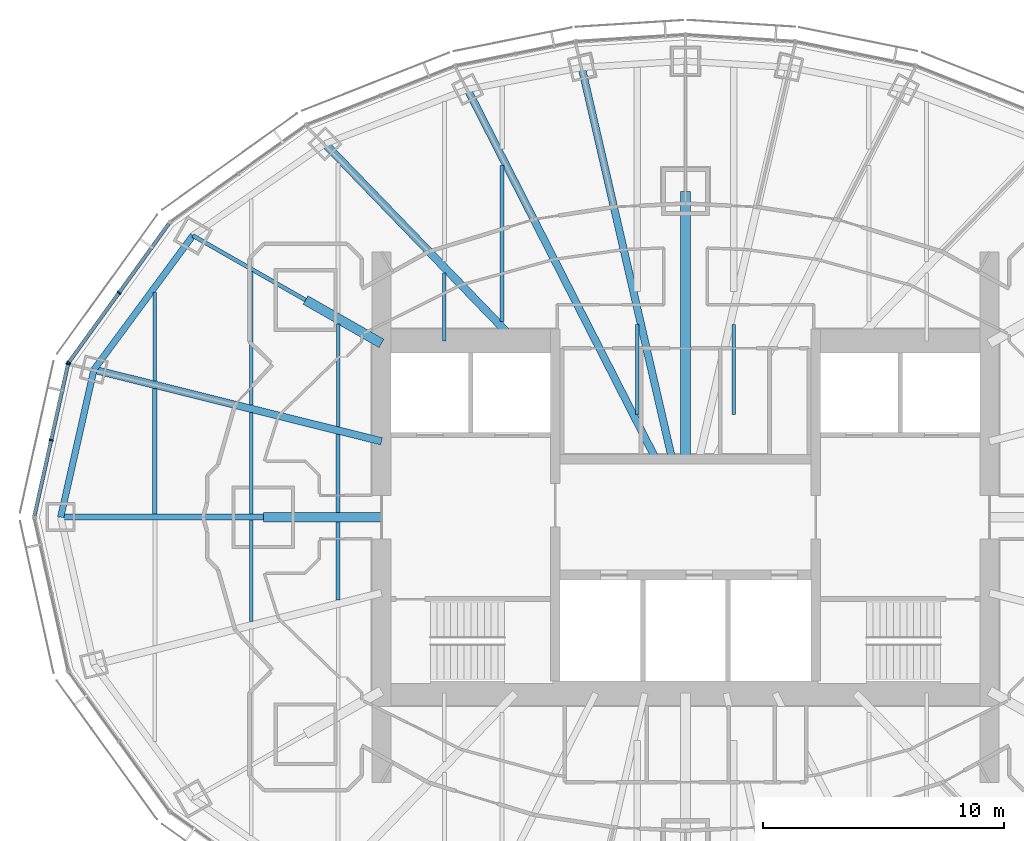
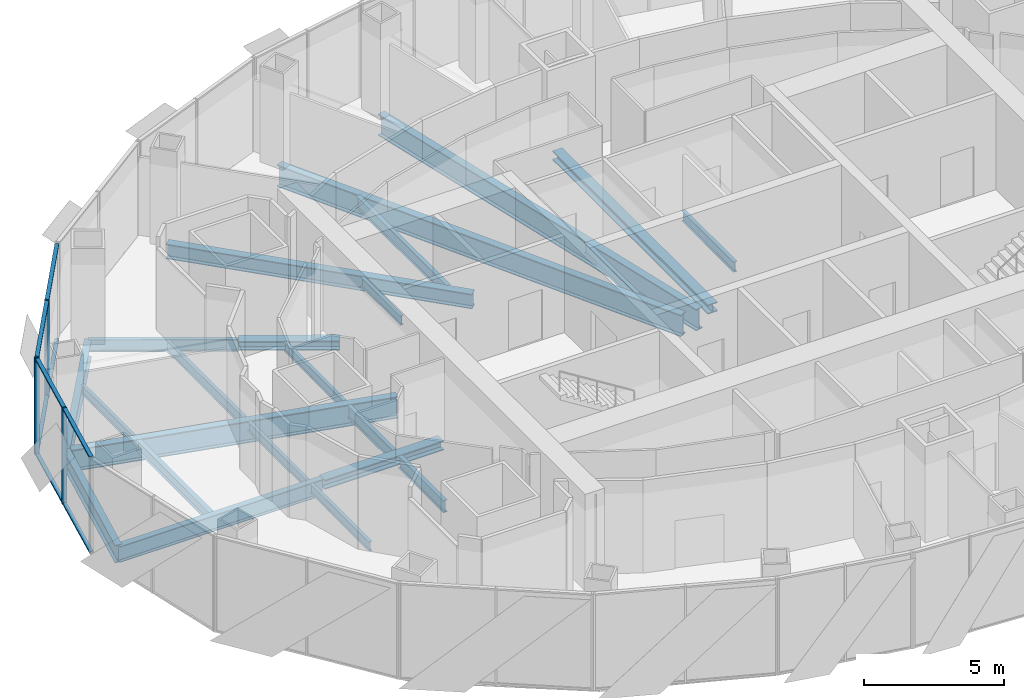
# One storey, part 4 of 19: 23 beams, 12 members, 2 elements without a shape of their own.
"""IFC4 building model written with IfcOpenShell, lengths in metres."""

from ifc_helpers import new_model, si_unit, direction, frame, origin, origin_2d, place, context, subcontext, project, spatial, rectangle, i_section, extrude, material, material_profile, profile_set, type_object, element, aggregate, save


model = new_model("IFC4")

# Units and contexts
model_context = context("Model", 3, precision=1e-05, world=origin(), true_north=direction((0.0, 1.0)))
body_context = subcontext(model_context, "Body", "Model", "MODEL_VIEW")
ifc_project = project(units=[si_unit("LENGTHUNIT", "METRE"), si_unit("AREAUNIT", "SQUARE_METRE"), si_unit("VOLUMEUNIT", "CUBIC_METRE"), si_unit("PLANEANGLEUNIT", "RADIAN"), si_unit("MASSUNIT", "GRAM", prefix="KILO")], contexts=[model_context])

# Site, building, storey
site_placement = place(None, origin())
site = spatial("IfcSite", under=ifc_project, at=site_placement, CompositionType="ELEMENT")
building_placement = place(site_placement, origin())
building = spatial("IfcBuilding", under=site, at=building_placement, Name="Lantaw Convention Tower", CompositionType="ELEMENT")
storey_placement = place(building_placement, frame((0.0, 0.0, 245.199951171875)))
storey = spatial("IfcBuildingStorey", under=building, at=storey_placement, Name="L57", CompositionType="ELEMENT", Elevation=245.199951171875)

# Beams
ifc_material_1 = material(Name="Steel ASTM A992", Category="steel")
ifc_material_profile_1 = material_profile(ifc_material_1, i_section(OverallWidth=0.2666015625, OverallDepth=0.76953125, WebThickness=0.015625, FlangeThickness=0.025390625, FilletRadius=0.0126953125, at=origin_2d()), Name="W30X132")
ifc_profile_set_1 = profile_set([ifc_material_profile_1], Name="Steel ASTM A992")
beam_type_1 = type_object("IfcBeamType", Name="Beam E W30X132", PredefinedType="SPANDREL", material=ifc_profile_set_1)
beam_1_placement = place(storey_placement, frame((-20.423095703125, 11.67041015625, -0.53466796875), z_axis=(-0.593639188853, -0.804731329984, 0.0), x_axis=(0.804731329984, -0.593639188853, 0.0)))
element("IfcBeam", 1, at=beam_1_placement, inside=storey, type_object=beam_type_1, Name="Edge beam 11", PredefinedType="SPANDREL", context=body_context, shape_type="SweptSolid", body=[
    extrude(i_section(OverallWidth=0.2666015625, OverallDepth=0.76953125, WebThickness=0.015625, FlangeThickness=0.025390625, FilletRadius=0.0126953125, at=origin_2d()), origin(), (0.0, 0.0, 1.0), 6.904541015625),
])
beam_2_placement = place(storey_placement, frame((-24.52197265625, 6.114013671875, -0.53466796875), z_axis=(-0.219857926596, -0.97553190215, 0.0), x_axis=(0.97553190215, -0.219857926596, 0.0)))
element("IfcBeam", 2, at=beam_2_placement, inside=storey, type_object=beam_type_1, Name="Edge beam 12", PredefinedType="SPANDREL", context=body_context, shape_type="SweptSolid", body=[
    extrude(i_section(OverallWidth=0.2666015625, OverallDepth=0.76953125, WebThickness=0.015625, FlangeThickness=0.025390625, FilletRadius=0.0126953125, at=origin_2d()), origin(), (0.0, 0.0, 1.0), 6.267333984375),
])
ifc_material_profile_2 = material_profile(ifc_material_1, i_section(OverallWidth=0.1650390625, OverallDepth=0.52587890625, WebThickness=0.0087890625, FlangeThickness=0.011474609375, FilletRadius=0.0126953125, at=origin_2d()), Name="W21X44")
ifc_profile_set_2 = profile_set([ifc_material_profile_2], Name="Steel ASTM A992")
beam_type_2 = type_object("IfcBeamType", Name="Beam G W21X44", PredefinedType="BEAM", material=ifc_profile_set_2)
beam_3_placement = place(storey_placement, frame((-15.75, 9.0, -0.412841796875), z_axis=(-0.868237559289, 0.496148708192, 0.0), x_axis=(-0.496148708192, -0.868237559289, 0.0)))
element("IfcBeam", 3, at=beam_3_placement, inside=storey, type_object=beam_type_2, Name="Floor girder on ray 11", PredefinedType="BEAM", context=body_context, shape_type="SweptSolid", body=[
    extrude(i_section(OverallWidth=0.1650390625, OverallDepth=0.52587890625, WebThickness=0.0087890625, FlangeThickness=0.011474609375, FilletRadius=0.0126953125, at=origin_2d()), origin(), (0.0, 0.0, 1.0), 5.38232421875),
])
ifc_material_profile_3 = material_profile(ifc_material_1, i_section(OverallWidth=0.32763671875, OverallDepth=0.64013671875, WebThickness=0.01904296875, FlangeThickness=0.033935546875, FilletRadius=0.0126953125, at=origin_2d()), Name="W24X176")
ifc_profile_set_3 = profile_set([ifc_material_profile_3], Name="Steel ASTM A992")
beam_type_3 = type_object("IfcBeamType", Name="Beam G W24X176", PredefinedType="BEAM", material=ifc_profile_set_3)
beam_4_placement = place(storey_placement, frame((-7.049560546875, 7.300048828125, -0.469970703125), z_axis=(-0.694657766726, 0.719340383356, 0.0), x_axis=(-0.719340383356, -0.694657766726, 0.0)))
element("IfcBeam", 4, at=beam_4_placement, inside=storey, type_object=beam_type_3, Name="Floor girder on ray 10", PredefinedType="BEAM", context=body_context, shape_type="SweptSolid", body=[
    extrude(i_section(OverallWidth=0.32763671875, OverallDepth=0.64013671875, WebThickness=0.01904296875, FlangeThickness=0.033935546875, FilletRadius=0.0126953125, at=origin_2d()), origin(), (0.0, 0.0, 1.0), 11.364990234375),
])
ifc_material_profile_4 = material_profile(ifc_material_1, i_section(OverallWidth=0.25390625, OverallDepth=0.700927734375, WebThickness=0.015380859375, FlangeThickness=0.02783203125, FilletRadius=0.01513671875, at=origin_2d()), Name="W27X129")
ifc_profile_set_4 = profile_set([ifc_material_profile_4], Name="Steel ASTM A992")
beam_type_4 = type_object("IfcBeamType", Name="Beam G W27X129", PredefinedType="BEAM", material=ifc_profile_set_4)
beam_5_placement = place(storey_placement, frame((-17.5, 0.0, -0.50048828125), z_axis=(-1.0, 0.0, 0.0), x_axis=(0.0, -1.0, 0.0)))
element("IfcBeam", 5, at=beam_5_placement, inside=storey, type_object=beam_type_4, Name="Floor girder on ray 13", PredefinedType="BEAM", context=body_context, shape_type="SweptSolid", body=[
    extrude(i_section(OverallWidth=0.25390625, OverallDepth=0.700927734375, WebThickness=0.015380859375, FlangeThickness=0.02783203125, FilletRadius=0.01513671875, at=origin_2d()), origin(), (0.0, 0.0, 1.0), 8.39990234375),
])
ifc_material_profile_5 = material_profile(ifc_material_1, i_section(OverallWidth=0.307373046875, OverallDepth=0.9423828125, WebThickness=0.022216796875, FlangeThickness=0.039794921875, FilletRadius=0.0126953125, at=origin_2d()), Name="W36X232")
ifc_profile_set_5 = profile_set([ifc_material_profile_5], Name="Steel ASTM A992")
beam_type_5 = type_object("IfcBeamType", Name="Beam G W36X232", PredefinedType="BEAM", material=ifc_profile_set_5)
beam_6_placement = place(storey_placement, frame((-0.55419921875, 2.39990234375, -0.62109375), z_axis=(-0.224948287002, 0.974370703672, 0.0), x_axis=(-0.974370703672, -0.224948287002, 0.0)))
element("IfcBeam", 6, at=beam_6_placement, inside=storey, type_object=beam_type_5, Name="Floor girder on ray 8", PredefinedType="BEAM", context=body_context, shape_type="SweptSolid", body=[
    extrude(i_section(OverallWidth=0.307373046875, OverallDepth=0.9423828125, WebThickness=0.022216796875, FlangeThickness=0.039794921875, FilletRadius=0.0126953125, at=origin_2d()), origin(), (0.0, 0.0, 1.0), 16.66943359375),
])
beam_7_placement = place(storey_placement, frame((-1.222900390625, 2.39990234375, -0.62109375), z_axis=(-0.453988481463, 0.891007552549, 0.0), x_axis=(-0.891007552549, -0.453988481463, 0.0)))
element("IfcBeam", 7, at=beam_7_placement, inside=storey, type_object=beam_type_5, Name="Floor girder on ray 9", PredefinedType="BEAM", context=body_context, shape_type="SweptSolid", body=[
    extrude(i_section(OverallWidth=0.307373046875, OverallDepth=0.9423828125, WebThickness=0.022216796875, FlangeThickness=0.039794921875, FilletRadius=0.0126953125, at=origin_2d()), origin(), (0.0, 0.0, 1.0), 17.20703125),
])
beam_8_placement = place(storey_placement, frame((-12.60009765625, 3.1416015625, -0.62109375), z_axis=(-0.970296589314, 0.241918434119, 0.0), x_axis=(-0.241918434119, -0.970296589314, 0.0)))
element("IfcBeam", 8, at=beam_8_placement, inside=storey, type_object=beam_type_5, Name="Floor girder on ray 12", PredefinedType="BEAM", context=body_context, shape_type="SweptSolid", body=[
    extrude(i_section(OverallWidth=0.307373046875, OverallDepth=0.9423828125, WebThickness=0.022216796875, FlangeThickness=0.039794921875, FilletRadius=0.0126953125, at=origin_2d()), origin(), (0.0, 0.0, 1.0), 12.286865234375),
])
ifc_material_profile_6 = material_profile(ifc_material_1, i_section(OverallWidth=0.40380859375, OverallDepth=0.406494140625, WebThickness=0.027099609375, FlangeThickness=0.043701171875, FilletRadius=0.01513671875, at=origin_2d()), Name="W14X233")
ifc_profile_set_6 = profile_set([ifc_material_profile_6], Name="Steel ASTM A992")
beam_type_6 = type_object("IfcBeamType", Name="Beam GM W14X233", PredefinedType="BEAM", material=ifc_profile_set_6)
beam_9_placement = place(storey_placement, frame((0.0, 2.39990234375, -0.353271484375), z_axis=(0.0, 1.0, 0.0), x_axis=(-1.0, 0.0, 0.0)))
element("IfcBeam", 9, at=beam_9_placement, inside=storey, type_object=beam_type_6, Name="Core link beam on ray 7", PredefinedType="BEAM", context=body_context, shape_type="SweptSolid", body=[
    extrude(i_section(OverallWidth=0.40380859375, OverallDepth=0.406494140625, WebThickness=0.027099609375, FlangeThickness=0.043701171875, FilletRadius=0.01513671875, at=origin_2d()), origin(), (0.0, 0.0, 1.0), 11.10009765625),
])
beam_10_placement = place(storey_placement, frame((-12.60009765625, 7.199951171875, -0.353271484375), z_axis=(-0.868230718294, 0.496160679428, 0.0), x_axis=(-0.496160679428, -0.868230718294, 0.0)))
element("IfcBeam", 10, at=beam_10_placement, inside=storey, type_object=beam_type_6, Name="Core link beam on ray 11", PredefinedType="BEAM", context=body_context, shape_type="SweptSolid", body=[
    extrude(i_section(OverallWidth=0.40380859375, OverallDepth=0.406494140625, WebThickness=0.027099609375, FlangeThickness=0.043701171875, FilletRadius=0.01513671875, at=origin_2d()), origin(), (0.0, 0.0, 1.0), 3.6279296875),
])
beam_11_placement = place(storey_placement, frame((-12.60009765625, 0.0, -0.353271484375), z_axis=(-1.0, 0.0, 0.0), x_axis=(0.0, -1.0, 0.0)))
element("IfcBeam", 11, at=beam_11_placement, inside=storey, type_object=beam_type_6, Name="Core link beam on ray 13", PredefinedType="BEAM", context=body_context, shape_type="SweptSolid", body=[
    extrude(i_section(OverallWidth=0.40380859375, OverallDepth=0.406494140625, WebThickness=0.027099609375, FlangeThickness=0.043701171875, FilletRadius=0.01513671875, at=origin_2d()), origin(), (0.0, 0.0, 1.0), 4.89990234375),
])
ifc_material_profile_7 = material_profile(ifc_material_1, i_section(OverallWidth=0.140380859375, OverallDepth=0.40380859375, WebThickness=0.007080078125, FlangeThickness=0.01123046875, FilletRadius=0.01025390625, at=origin_2d()), Name="W16X31")
ifc_profile_set_7 = profile_set([ifc_material_profile_7], Name="Steel ASTM A992")
beam_type_7 = type_object("IfcBeamType", Name="Beam J W16X31", PredefinedType="JOIST", material=ifc_profile_set_7)
beam_12_placement = place(storey_placement, frame((-22.0, 5.6435546875, -0.351806640625), z_axis=(0.0, 1.0, 0.0), x_axis=(-1.0, 0.0, 0.0)))
element("IfcBeam", 12, at=beam_12_placement, inside=storey, type_object=beam_type_7, Name="Floor joist", PredefinedType="JOIST", context=body_context, shape_type="SweptSolid", body=[
    extrude(i_section(OverallWidth=0.140380859375, OverallDepth=0.40380859375, WebThickness=0.007080078125, FlangeThickness=0.01123046875, FilletRadius=0.01025390625, at=origin_2d()), origin(), (0.0, 0.0, 1.0), 3.66455078125),
])
for number, where, z_axis, x_axis, name in (
    (13, (-18.0, -4.32958984375, -0.351806640625), (0.0, 1.0, 0.0), (-1.0, 0.0, 0.0), "Floor joist"),
    (14, (-18.0, 0.126953125, -0.351806640625), (0.0, 1.0, 0.0), (-1.0, 0.0, 0.0), "Floor joist"),
):
    element("IfcBeam", number, at=place(storey_placement, frame(where, z_axis=z_axis, x_axis=x_axis)), inside=storey, type_object=beam_type_7, Name=name, PredefinedType="JOIST", context=body_context, shape_type="SweptSolid", body=[
        extrude(i_section(OverallWidth=0.140380859375, OverallDepth=0.40380859375, WebThickness=0.007080078125, FlangeThickness=0.01123046875, FilletRadius=0.01025390625, at=origin_2d()), origin(), (0.0, 0.0, 1.0), 4.20263671875),
    ])
beam_13_placement = place(storey_placement, frame((-14.39990234375, 3.748779296875, -0.351806640625), z_axis=(0.0, 1.0, 0.0), x_axis=(-1.0, 0.0, 0.0)))
element("IfcBeam", 15, at=beam_13_placement, inside=storey, type_object=beam_type_7, Name="Floor joist", PredefinedType="JOIST", context=body_context, shape_type="SweptSolid", body=[
    extrude(i_section(OverallWidth=0.140380859375, OverallDepth=0.40380859375, WebThickness=0.007080078125, FlangeThickness=0.01123046875, FilletRadius=0.01025390625, at=origin_2d()), origin(), (0.0, 0.0, 1.0), 4.247314453125),
])
beam_14_placement = place(storey_placement, frame((-10.0, 7.300048828125, -0.351806640625), z_axis=(0.0, 1.0, 0.0), x_axis=(-1.0, 0.0, 0.0)))
element("IfcBeam", 16, at=beam_14_placement, inside=storey, type_object=beam_type_7, Name="Floor joist", PredefinedType="JOIST", context=body_context, shape_type="SweptSolid", body=[
    extrude(i_section(OverallWidth=0.140380859375, OverallDepth=0.40380859375, WebThickness=0.007080078125, FlangeThickness=0.01123046875, FilletRadius=0.01025390625, at=origin_2d()), origin(), (0.0, 0.0, 1.0), 2.8193359375),
])
ifc_material_profile_8 = material_profile(ifc_material_1, i_section(OverallWidth=0.15234375, OverallDepth=0.449462890625, WebThickness=0.007568359375, FlangeThickness=0.0107421875, FilletRadius=0.01025390625, at=origin_2d()), Name="W18X35")
ifc_profile_set_8 = profile_set([ifc_material_profile_8], Name="Steel ASTM A992")
beam_type_8 = type_object("IfcBeamType", Name="Beam J W18X35", PredefinedType="JOIST", material=ifc_profile_set_8)
beam_15_placement = place(storey_placement, frame((-18.0, 4.646240234375, -0.374755859375), z_axis=(0.0, 1.0, 0.0), x_axis=(-1.0, 0.0, 0.0)))
element("IfcBeam", 17, at=beam_15_placement, inside=storey, type_object=beam_type_8, Name="Floor joist", PredefinedType="JOIST", context=body_context, shape_type="SweptSolid", body=[
    extrude(i_section(OverallWidth=0.15234375, OverallDepth=0.449462890625, WebThickness=0.007568359375, FlangeThickness=0.0107421875, FilletRadius=0.01025390625, at=origin_2d()), origin(), (0.0, 0.0, 1.0), 5.54443359375),
])
for number, where, z_axis, x_axis, name in (
    (18, (-2.0, 4.263671875, -0.374755859375), (0.0, 1.0, 0.0), (-1.0, 0.0, 0.0), "Floor joist"),
    (19, (2.0, 4.263671875, -0.374755859375), (0.0, 1.0, 0.0), (-1.0, 0.0, 0.0), "Floor joist"),
):
    element("IfcBeam", number, at=place(storey_placement, frame(where, z_axis=z_axis, x_axis=x_axis)), inside=storey, type_object=beam_type_8, Name=name, PredefinedType="JOIST", context=body_context, shape_type="SweptSolid", body=[
        extrude(i_section(OverallWidth=0.15234375, OverallDepth=0.449462890625, WebThickness=0.007568359375, FlangeThickness=0.0107421875, FilletRadius=0.01025390625, at=origin_2d()), origin(), (0.0, 0.0, 1.0), 3.716064453125),
    ])
ifc_material_profile_9 = material_profile(ifc_material_1, i_section(OverallWidth=0.1904296875, OverallDepth=0.457275390625, WebThickness=0.009033203125, FlangeThickness=0.014404296875, FilletRadius=0.01025390625, at=origin_2d()), Name="W18X50")
ifc_profile_set_9 = profile_set([ifc_material_profile_9], Name="Steel ASTM A992")
beam_type_9 = type_object("IfcBeamType", Name="Beam J W18X50", PredefinedType="JOIST", material=ifc_profile_set_9)
beam_16_placement = place(storey_placement, frame((-22.0, 0.126953125, -0.378662109375), z_axis=(0.0, 1.0, 0.0), x_axis=(-1.0, 0.0, 0.0)))
element("IfcBeam", 20, at=beam_16_placement, inside=storey, type_object=beam_type_9, Name="Floor joist", PredefinedType="JOIST", context=body_context, shape_type="SweptSolid", body=[
    extrude(i_section(OverallWidth=0.1904296875, OverallDepth=0.457275390625, WebThickness=0.009033203125, FlangeThickness=0.014404296875, FilletRadius=0.01025390625, at=origin_2d()), origin(), (0.0, 0.0, 1.0), 5.199951171875),
])
ifc_material_profile_10 = material_profile(ifc_material_1, i_section(OverallWidth=0.1650390625, OverallDepth=0.52587890625, WebThickness=0.0087890625, FlangeThickness=0.011474609375, FilletRadius=0.0126953125, at=origin_2d()), Name="W21X44")
ifc_profile_set_10 = profile_set([ifc_material_profile_10], Name="Steel ASTM A992")
beam_type_10 = type_object("IfcBeamType", Name="Beam J W21X44", PredefinedType="JOIST", material=ifc_profile_set_10)
for number, where, z_axis, x_axis, name in (
    (21, (-14.39990234375, -3.431884765625, -0.412841796875), (0.0, 1.0, 0.0), (-1.0, 0.0, 0.0), "Floor joist"),
    (22, (-14.39990234375, 0.201904296875, -0.412841796875), (0.0, 1.0, 0.0), (-1.0, 0.0, 0.0), "Floor joist"),
):
    element("IfcBeam", number, at=place(storey_placement, frame(where, z_axis=z_axis, x_axis=x_axis)), inside=storey, type_object=beam_type_10, Name=name, PredefinedType="JOIST", context=body_context, shape_type="SweptSolid", body=[
        extrude(i_section(OverallWidth=0.1650390625, OverallDepth=0.52587890625, WebThickness=0.0087890625, FlangeThickness=0.011474609375, FilletRadius=0.0126953125, at=origin_2d()), origin(), (0.0, 0.0, 1.0), 3.22998046875),
    ])
beam_17_placement = place(storey_placement, frame((-7.60009765625, 8.10595703125, -0.412841796875), z_axis=(0.0, 1.0, 0.0), x_axis=(-1.0, 0.0, 0.0)))
element("IfcBeam", 23, at=beam_17_placement, inside=storey, type_object=beam_type_10, Name="Floor joist", PredefinedType="JOIST", context=body_context, shape_type="SweptSolid", body=[
    extrude(i_section(OverallWidth=0.1650390625, OverallDepth=0.52587890625, WebThickness=0.0087890625, FlangeThickness=0.011474609375, FilletRadius=0.0126953125, at=origin_2d()), origin(), (0.0, 0.0, 1.0), 6.471435546875),
])

# Curtain wall, members
ifc_material_2 = material(Name="Aluminium framed curtain wall", Category="aluminium")
curtain_wall_type = type_object("IfcCurtainWallType", Name="Office curtain wall high rise, pale aluminium", PredefinedType="USERDEFINED", material=ifc_material_2)
curtain_wall_1_placement = place(storey_placement, origin())
curtain_wall_1 = element("IfcCurtainWall", 24, at=curtain_wall_1_placement, inside=storey, type_object=curtain_wall_type, Name="Office curtain wall high rise, pale aluminium L57", ObjectType="UNITISED CURTAIN WALL", PredefinedType="USERDEFINED")
ifc_material_3 = material(Name="Aluminium 6063-T6", Category="aluminium")
ifc_material_profile_11 = material_profile(ifc_material_3, rectangle(XDim=0.179931640625, YDim=0.06494140625, at=origin_2d()), Name="CW-O2 mullion 65x180")
ifc_profile_set_11 = profile_set([ifc_material_profile_11], Name="Aluminium 6063-T6")
member_type_1 = type_object("IfcMemberType", Name="CW-O2 mullion 65x180", PredefinedType="MULLION", material=ifc_profile_set_11)
member_1_placement = place(storey_placement, frame((-23.483642578125, 9.298095703125, -0.14990234375), z_axis=(0.0, 0.0, 1.0), x_axis=(0.810919559405, -0.585157643865, 0.0)))
member_1 = element("IfcMember", 25, at=member_1_placement, type_object=member_type_1, Name="CW-O2 mullion 2", PredefinedType="MULLION", context=body_context, shape_type="SweptSolid", body=[
    extrude(rectangle(XDim=0.179931640625, YDim=0.06494140625, at=origin_2d()), origin(), (0.0, 0.0, 1.0), 4.199951171875),
])
member_2_placement = place(storey_placement, frame((-25.5703125, 6.406494140625, -0.14990234375), z_axis=(0.0, 0.0, 1.0), x_axis=(0.810919559405, -0.585157643865, 0.0)))
member_2 = element("IfcMember", 26, at=member_2_placement, type_object=member_type_1, Name="CW-O2 mullion 3", PredefinedType="MULLION", context=body_context, shape_type="SweptSolid", body=[
    extrude(rectangle(XDim=0.179931640625, YDim=0.06494140625, at=origin_2d()), origin(), (0.0, 0.0, 1.0), 4.199951171875),
])

curtain_wall_2_placement = place(storey_placement, origin())
curtain_wall_2 = element("IfcCurtainWall", 27, at=curtain_wall_2_placement, inside=storey, type_object=curtain_wall_type, Name="Office curtain wall high rise, pale aluminium L57", ObjectType="UNITISED CURTAIN WALL", PredefinedType="USERDEFINED")
member_3_placement = place(storey_placement, frame((-25.596435546875, 6.348388671875, -0.14990234375), z_axis=(0.0, 0.0, 1.0), x_axis=(0.976417396437, -0.215891333626, 0.0)))
member_3 = element("IfcMember", 28, at=member_3_placement, type_object=member_type_1, Name="CW-O2 mullion 1", PredefinedType="MULLION", context=body_context, shape_type="SweptSolid", body=[
    extrude(rectangle(XDim=0.179931640625, YDim=0.06494140625, at=origin_2d()), origin(), (0.0, 0.0, 1.0), 4.199951171875),
])
member_4_placement = place(storey_placement, frame((-26.294677734375, 3.190185546875, -0.14990234375), z_axis=(0.0, 0.0, 1.0), x_axis=(0.976417396437, -0.215891333626, 0.0)))
member_4 = element("IfcMember", 29, at=member_4_placement, type_object=member_type_1, Name="CW-O2 mullion 2", PredefinedType="MULLION", context=body_context, shape_type="SweptSolid", body=[
    extrude(rectangle(XDim=0.179931640625, YDim=0.06494140625, at=origin_2d()), origin(), (0.0, 0.0, 1.0), 4.199951171875),
])

# Member
ifc_material_profile_12 = material_profile(ifc_material_3, rectangle(XDim=0.14990234375, YDim=0.06494140625, at=origin_2d()), Name="CW-O2 transom 65x150")
ifc_profile_set_12 = profile_set([ifc_material_profile_12], Name="Aluminium 6063-T6")
member_type_2 = type_object("IfcMemberType", Name="CW-O2 transom 65x150", PredefinedType="USERDEFINED", material=ifc_profile_set_12)
member_5_placement = place(storey_placement, frame((-21.416259765625, 12.163330078125, -0.117431640625), z_axis=(-0.585123825205, -0.810943961798, 0.0), x_axis=(0.810943961798, -0.585123825205, 0.0)))
member_5 = element("IfcMember", 30, at=member_5_placement, type_object=member_type_2, Name="CW-O2 transom 1.1", ObjectType="TRANSOM", PredefinedType="USERDEFINED", context=body_context, shape_type="SweptSolid", body=[
    extrude(rectangle(XDim=0.14990234375, YDim=0.06494140625, at=origin_2d()), origin(), (0.0, 0.0, 1.0), 3.500732421875),
])

member_6_placement = place(storey_placement, frame((-21.416259765625, 12.163330078125, 4.017578125), z_axis=(-0.585123825205, -0.810943961798, 0.0), x_axis=(0.810943961798, -0.585123825205, 0.0)))
member_6 = element("IfcMember", 31, at=member_6_placement, type_object=member_type_2, Name="CW-O2 transom 1.2", ObjectType="TRANSOM", PredefinedType="USERDEFINED", context=body_context, shape_type="SweptSolid", body=[
    extrude(rectangle(XDim=0.14990234375, YDim=0.06494140625, at=origin_2d()), origin(), (0.0, 0.0, 1.0), 3.500732421875),
])

member_7_placement = place(storey_placement, frame((-23.502685546875, 9.271728515625, -0.117431640625), z_axis=(-0.585169685931, -0.810910869743, 0.0), x_axis=(0.810910869743, -0.585169685931, 0.0)))
member_7 = element("IfcMember", 32, at=member_7_placement, type_object=member_type_2, Name="CW-O2 transom 2.1", ObjectType="TRANSOM", PredefinedType="USERDEFINED", context=body_context, shape_type="SweptSolid", body=[
    extrude(rectangle(XDim=0.14990234375, YDim=0.06494140625, at=origin_2d()), origin(), (0.0, 0.0, 1.0), 3.500732421875),
])

member_8_placement = place(storey_placement, frame((-23.502685546875, 9.271728515625, 4.017578125), z_axis=(-0.585169685931, -0.810910869743, 0.0), x_axis=(0.810910869743, -0.585169685931, 0.0)))
member_8 = element("IfcMember", 33, at=member_8_placement, type_object=member_type_2, Name="CW-O2 transom 2.2", ObjectType="TRANSOM", PredefinedType="USERDEFINED", context=body_context, shape_type="SweptSolid", body=[
    extrude(rectangle(XDim=0.14990234375, YDim=0.06494140625, at=origin_2d()), origin(), (0.0, 0.0, 1.0), 3.500732421875),
])

aggregate(curtain_wall_1, [member_1, member_2, member_5, member_6, member_7, member_8])

member_9_placement = place(storey_placement, frame((-25.603271484375, 6.316650390625, -0.117431640625), z_axis=(-0.215894607042, -0.976416672661, 0.0), x_axis=(0.976416672661, -0.215894607042, 0.0)))
member_9 = element("IfcMember", 34, at=member_9_placement, type_object=member_type_2, Name="CW-O2 transom 1.1", ObjectType="TRANSOM", PredefinedType="USERDEFINED", context=body_context, shape_type="SweptSolid", body=[
    extrude(rectangle(XDim=0.14990234375, YDim=0.06494140625, at=origin_2d()), origin(), (0.0, 0.0, 1.0), 3.169677734375),
])

member_10_placement = place(storey_placement, frame((-25.603271484375, 6.316650390625, 4.017578125), z_axis=(-0.215894607042, -0.976416672661, 0.0), x_axis=(0.976416672661, -0.215894607042, 0.0)))
member_10 = element("IfcMember", 35, at=member_10_placement, type_object=member_type_2, Name="CW-O2 transom 1.2", ObjectType="TRANSOM", PredefinedType="USERDEFINED", context=body_context, shape_type="SweptSolid", body=[
    extrude(rectangle(XDim=0.14990234375, YDim=0.06494140625, at=origin_2d()), origin(), (0.0, 0.0, 1.0), 3.169677734375),
])

member_11_placement = place(storey_placement, frame((-26.3017578125, 3.158447265625, -0.117431640625), z_axis=(-0.215894607042, -0.976416672661, 0.0), x_axis=(0.976416672661, -0.215894607042, 0.0)))
member_11 = element("IfcMember", 36, at=member_11_placement, type_object=member_type_2, Name="CW-O2 transom 2.1", ObjectType="TRANSOM", PredefinedType="USERDEFINED", context=body_context, shape_type="SweptSolid", body=[
    extrude(rectangle(XDim=0.14990234375, YDim=0.06494140625, at=origin_2d()), origin(), (0.0, 0.0, 1.0), 3.169677734375),
])

member_12_placement = place(storey_placement, frame((-26.3017578125, 3.158447265625, 4.017578125), z_axis=(-0.215894607042, -0.976416672661, 0.0), x_axis=(0.976416672661, -0.215894607042, 0.0)))
member_12 = element("IfcMember", 37, at=member_12_placement, type_object=member_type_2, Name="CW-O2 transom 2.2", ObjectType="TRANSOM", PredefinedType="USERDEFINED", context=body_context, shape_type="SweptSolid", body=[
    extrude(rectangle(XDim=0.14990234375, YDim=0.06494140625, at=origin_2d()), origin(), (0.0, 0.0, 1.0), 3.169677734375),
])

aggregate(curtain_wall_2, [member_3, member_4, member_9, member_10, member_11, member_12])

save(model, "model.ifc")
